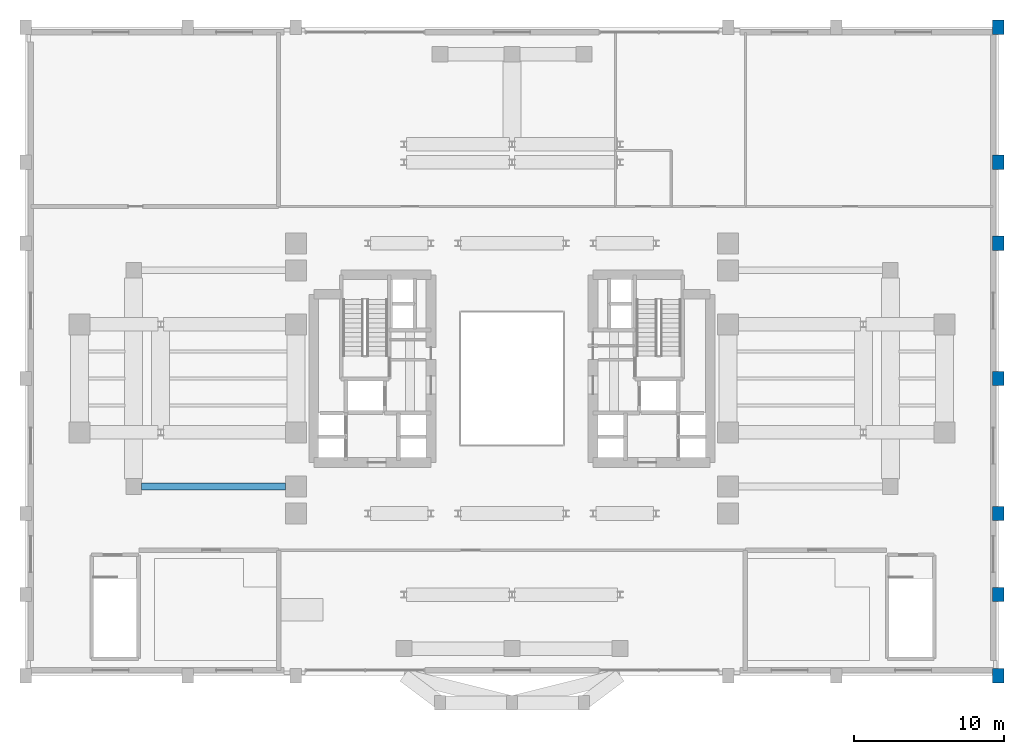
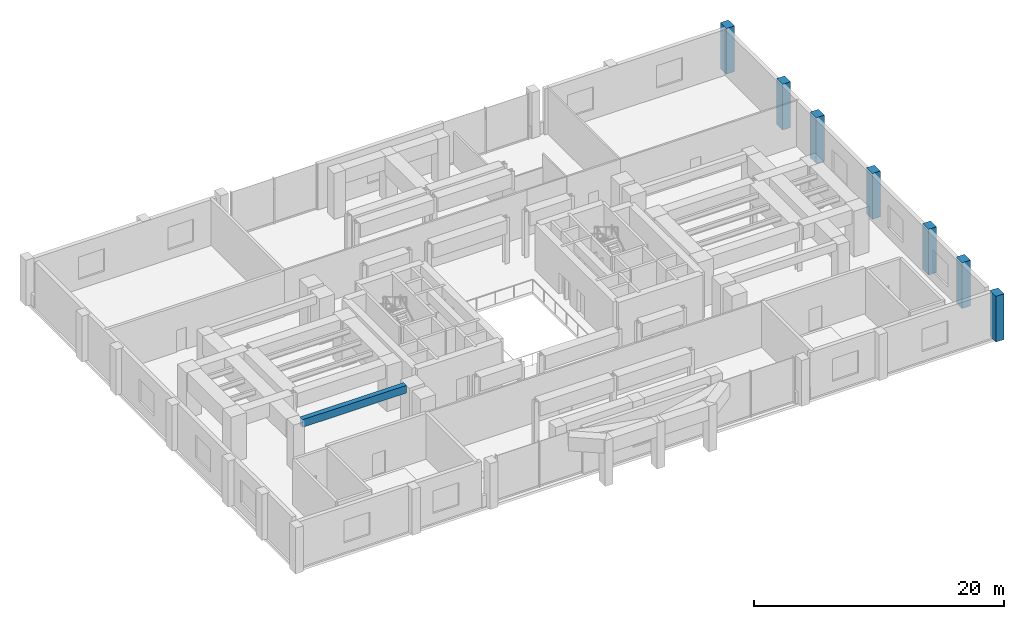
# One storey, part 3 of 13: 7 columns, 1 beam.
"""IFC4 building model written with IfcOpenShell, lengths in metres."""

from ifc_helpers import new_model, si_unit, direction, frame, origin, origin_2d, place, context, subcontext, project, spatial, rectangle, extrude, source, transform, mapped, material, material_profile, profile_set, type_object, element, save


model = new_model("IFC4")

# Units and contexts
model_context = context("Model", 3, precision=1e-05, world=origin(), true_north=direction((0.0, 1.0)))
body_context = subcontext(model_context, "Body", "Model", "MODEL_VIEW")
ifc_project = project(units=[si_unit("LENGTHUNIT", "METRE"), si_unit("AREAUNIT", "SQUARE_METRE"), si_unit("VOLUMEUNIT", "CUBIC_METRE"), si_unit("PLANEANGLEUNIT", "RADIAN"), si_unit("MASSUNIT", "GRAM", prefix="KILO")], contexts=[model_context])

# Site, building, storey
site_placement = place(None, origin())
site = spatial("IfcSite", under=ifc_project, at=site_placement, CompositionType="ELEMENT")
building_placement = place(site_placement, origin())
building = spatial("IfcBuilding", under=site, at=building_placement, Name="Keilestroom Media Tower", CompositionType="ELEMENT")
storey_placement = place(building_placement, frame((0.0, 0.0, 20.39990234375)))
storey = spatial("IfcBuildingStorey", under=building, at=storey_placement, Name="L04", CompositionType="ELEMENT", Elevation=20.39990234375)

# Columns
ifc_material = material(Name="Precast concrete C40/50", Category="concrete")
ifc_material_profile_1 = material_profile(ifc_material, rectangle(XDim=0.75, YDim=0.949951171875, at=origin_2d()), Name="PC 950x750")
ifc_profile_set_1 = profile_set([ifc_material_profile_1], Name="Precast concrete C40/50")
column_type = type_object("IfcColumnType", Name="Structural-Column-PC-950x750", PredefinedType="COLUMN", material=ifc_profile_set_1)
shared_shape_1 = source(origin(), body_context, "Body", "SweptSolid", [
    extrude(rectangle(XDim=0.75, YDim=0.949951171875, at=origin_2d()), origin(), (0.0, 0.0, 1.0), 4.47998046875),
])
for number, where, z_axis, x_axis, name in (
    (1, (32.39990234375, -19.800048828125, 0.0), (0.0, 0.0, 1.0), (1.0, 0.0, 0.0), "L04 Column PC-1 (+32.4,-19.8)"),
    (2, (32.39990234375, -14.39990234375, 0.0), (0.0, 0.0, 1.0), (1.0, 0.0, 0.0), "L04 Column PC-1 (+32.4,-14.4)"),
    (3, (32.39990234375, -9.0, 0.0), (0.0, 0.0, 1.0), (1.0, 0.0, 0.0), "L04 Column PC-1 (+32.4,-9.0)"),
    (4, (32.39990234375, 0.0, 0.0), (0.0, 0.0, 1.0), (1.0, 0.0, 0.0), "L04 Column PC-1 (+32.4,+0.0)"),
    (5, (32.39990234375, 9.0, 0.0), (0.0, 0.0, 1.0), (1.0, 0.0, 0.0), "L04 Column PC-1 (+32.4,+9.0)"),
    (6, (32.39990234375, 14.39990234375, 0.0), (0.0, 0.0, 1.0), (1.0, 0.0, 0.0), "L04 Column PC-1 (+32.4,+14.4)"),
    (7, (32.39990234375, 23.39990234375, 0.0), (0.0, 0.0, 1.0), (1.0, 0.0, 0.0), "L04 Column PC-1 (+32.4,+23.4)"),
):
    element("IfcColumn", number, at=place(storey_placement, frame(where, z_axis=z_axis, x_axis=x_axis)), inside=storey, type_object=column_type, Name=name, PredefinedType="COLUMN", context=body_context, shape_type="MappedRepresentation", body=[
        mapped(shared_shape_1, transform((0.0, 0.0, 0.0), x_axis=(1.0, 0.0, 0.0), y_axis=(0.0, 1.0, 0.0), z_axis=(0.0, 0.0, 1.0), scale=1.0)),
    ])

# Beam
ifc_material_profile_2 = material_profile(ifc_material, rectangle(XDim=0.449951171875, YDim=0.75, at=origin_2d()), Name="PC 450x750")
ifc_profile_set_2 = profile_set([ifc_material_profile_2], Name="Precast concrete C40/50")
beam_type = type_object("IfcBeamType", Name="Perimeter-Spandrel-Beam-PC-450x750", PredefinedType="SPANDREL", material=ifc_profile_set_2)
shared_shape_2 = source(origin(), body_context, "Body", "SweptSolid", [
    extrude(rectangle(XDim=0.449951171875, YDim=0.75, at=origin_2d()), origin(), (0.0, 0.0, 1.0), 9.614990234375),
])
beam_placement = place(storey_placement, frame((-24.695068359375, -7.199951171875, 4.10498046875), z_axis=(1.0, 0.0, 0.0), x_axis=(0.0, 1.0, 0.0)))
element("IfcBeam", 8, at=beam_placement, inside=storey, type_object=beam_type, Name="L04 Beam SPB-1 BM-L04-EW-012", PredefinedType="SPANDREL", context=body_context, shape_type="MappedRepresentation", body=[
    mapped(shared_shape_2, transform((0.0, 0.0, 0.0), x_axis=(1.0, 0.0, 0.0), y_axis=(0.0, 1.0, 0.0), z_axis=(0.0, 0.0, 1.0), scale=1.0)),
])

save(model, "model.ifc")
